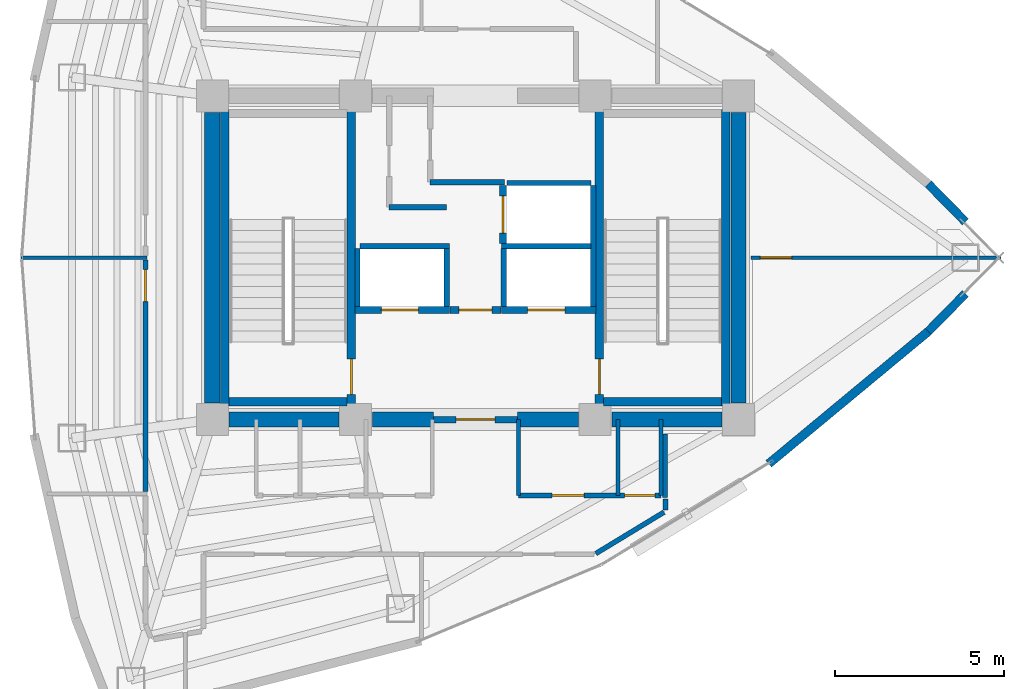
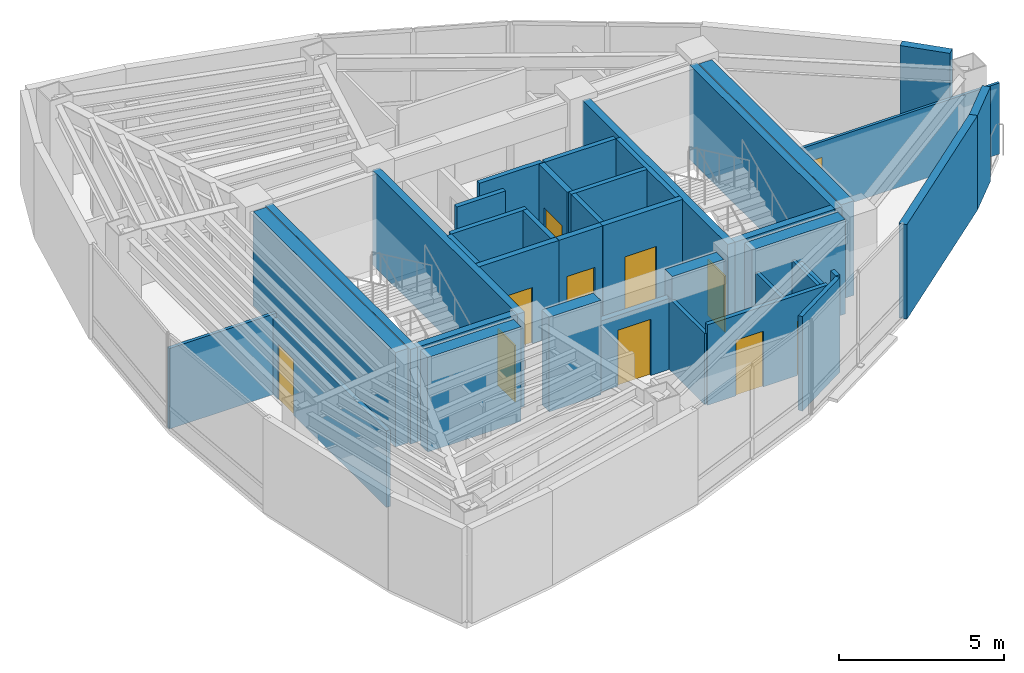
# One storey, part 12 of 15: 39 walls, 11 doors, 11 openings.
"""IFC4 building model written with IfcOpenShell, lengths in metres."""

from ifc_helpers import new_model, si_unit, direction, frame, frame_2d, origin, place, context, subcontext, project, spatial, rectangle, extrude, material, layer, layer_set, type_object, element, fill, save


model = new_model("IFC4")

# Units and contexts
model_context = context("Model", 3, precision=1e-05, world=origin(), true_north=direction((0.0, 1.0)))
body_context = subcontext(model_context, "Body", "Model", "MODEL_VIEW")
ifc_project = project(units=[si_unit("LENGTHUNIT", "METRE"), si_unit("AREAUNIT", "SQUARE_METRE"), si_unit("VOLUMEUNIT", "CUBIC_METRE"), si_unit("PLANEANGLEUNIT", "RADIAN"), si_unit("MASSUNIT", "GRAM", prefix="KILO")], contexts=[model_context])

# Site, building, storey
site_placement = place(None, origin())
site = spatial("IfcSite", under=ifc_project, at=site_placement, CompositionType="ELEMENT")
building_placement = place(site_placement, origin())
building = spatial("IfcBuilding", under=site, at=building_placement, Name="Menara Vayukalpa", CompositionType="ELEMENT")
storey_placement = place(building_placement, frame((0.0, 0.0, 291.780029296875)))
storey = spatial("IfcBuildingStorey", under=building, at=storey_placement, Name="L74", CompositionType="ELEMENT", Elevation=291.780029296875)

# Walls
ifc_material_1 = material(Name="Concrete C50/60", Category="concrete")
ifc_layer_1 = layer(ifc_material_1, 0.449951171875)
ifc_layer_set_1 = layer_set([ifc_layer_1], Name="Concrete C50/60")
wall_type_1 = type_object("IfcWallType", Name="WAL-CW450", PredefinedType="SHEAR", material=ifc_layer_set_1)
wall_1_placement = place(storey_placement, frame((18.294921875, 17.199951171875, 0.0), z_axis=(0.0, 0.0, 1.0), x_axis=(1.0, 0.0, 0.0)))
element("IfcWall", 1, at=wall_1_placement, inside=storey, type_object=wall_type_1, Name="L74 Buttressed Core Shear Wall CWS1", PredefinedType="SHEAR", context=body_context, shape_type="SweptSolid", body=[
    extrude(rectangle(XDim=3.260009765625, YDim=0.449951171875, at=frame_2d((1.6298828125, 0.0))), origin(), (0.0, 0.0, 1.0), 3.5),
])
wall_2_placement = place(storey_placement, frame((22.544921875, 17.199951171875, 0.0), z_axis=(0.0, 0.0, 1.0), x_axis=(1.0, 0.0, 0.0)))
element("IfcWall", 2, at=wall_2_placement, inside=storey, type_object=wall_type_1, Name="L74 Buttressed Core Shear Wall CWS2", PredefinedType="SHEAR", context=body_context, shape_type="SweptSolid", body=[
    extrude(rectangle(XDim=1.80517578125, YDim=0.449951171875, at=frame_2d((0.902587890625, 0.0))), origin(), (0.0, 0.0, 1.0), 3.5),
])
wall_3_placement = place(storey_placement, frame((26.85009765625, 17.199951171875, 0.0), z_axis=(0.0, 0.0, 1.0), x_axis=(1.0, 0.0, 0.0)))
element("IfcWall", 3, at=wall_3_placement, inside=storey, type_object=wall_type_1, Name="L74 Buttressed Core Shear Wall CWS3", PredefinedType="SHEAR", context=body_context, shape_type="SweptSolid", body=[
    extrude(rectangle(XDim=1.804931640625, YDim=0.449951171875, at=frame_2d((0.90234375, 0.0))), origin(), (0.0, 0.0, 1.0), 3.5),
])
wall_4_placement = place(storey_placement, frame((29.64501953125, 17.199951171875, 0.0), z_axis=(0.0, 0.0, 1.0), x_axis=(1.0, 0.0, 0.0)))
element("IfcWall", 4, at=wall_4_placement, inside=storey, type_object=wall_type_1, Name="L74 Buttressed Core Shear Wall CWS4", PredefinedType="SHEAR", context=body_context, shape_type="SweptSolid", body=[
    extrude(rectangle(XDim=3.260009765625, YDim=0.449951171875, at=frame_2d((1.6298828125, 0.0))), origin(), (0.0, 0.0, 1.0), 3.5),
])
for number, where, z_axis, x_axis, name in (
    (5, (17.800048828125, 17.695068359375, 0.0), (0.0, 0.0, 1.0), (0.0, 1.0, 0.0), "L74 Buttressed Core Shear Wall CWW1"),
    (6, (33.39990234375, 17.695068359375, 0.0), (0.0, 0.0, 1.0), (0.0, 1.0, 0.0), "L74 Buttressed Core Shear Wall CWE1"),
):
    element("IfcWall", number, at=place(storey_placement, frame(where, z_axis=z_axis, x_axis=x_axis)), inside=storey, type_object=wall_type_1, Name=name, PredefinedType="SHEAR", context=body_context, shape_type="SweptSolid", body=[
        extrude(rectangle(XDim=8.60986328125, YDim=0.449951171875, at=frame_2d((4.304931640625, 0.0))), origin(), (0.0, 0.0, 1.0), 3.5),
    ])
ifc_material_2 = material(Name="Insulated Precast Concrete C40/50", Category="concrete")
ifc_layer_2 = layer(ifc_material_2, 0.260009765625)
ifc_layer_set_2 = layer_set([ifc_layer_2], Name="Insulated Precast Concrete C40/50")
wall_type_2 = type_object("IfcWallType", Name="WAL-EXT260", PredefinedType="PARTITIONING", material=ifc_layer_set_2)
for number, where, z_axis, x_axis, name in (
    (7, (40.1240234375, 20.932861328125, 0.0), (0.0, 0.0, 1.0), (-0.700470648387, -0.71368121087, 0.0), "L74 Perimeter Terracotta Pier Wall 01"),
    (8, (39.023681640625, 24.188232421875, 0.0), (0.0, 0.0, 1.0), (0.700470648387, -0.71368121087, 0.0), "L74 Perimeter Terracotta Pier Wall 02"),
):
    element("IfcWall", number, at=place(storey_placement, frame(where, z_axis=z_axis, x_axis=x_axis)), inside=storey, type_object=wall_type_2, Name=name, PredefinedType="PARTITIONING", context=body_context, shape_type="SweptSolid", body=[
        extrude(rectangle(XDim=1.57080078125, YDim=0.260009765625, at=frame_2d((0.785400390625, 0.0))), origin(), (0.0, 0.0, 1.0), 3.5),
    ])
wall_5_placement = place(storey_placement, frame((39.032470703125, 19.81982421875, 0.0), z_axis=(0.0, 0.0, 1.0), x_axis=(-0.769779830138, -0.638309496337, 0.0)))
element("IfcWall", 9, at=wall_5_placement, inside=storey, type_object=wall_type_2, Name="L74 Perimeter Terracotta Pier Wall 18", PredefinedType="PARTITIONING", context=body_context, shape_type="SweptSolid", body=[
    extrude(rectangle(XDim=6.154052734375, YDim=0.260009765625, at=frame_2d((3.0771484375, 0.0))), origin(), (0.0, 0.0, 1.0), 3.5),
])
ifc_material_3 = material(Name="Lightweight Concrete Blockwork C16/20", Category="masonry")
ifc_layer_3 = layer(ifc_material_3, 0.159912109375)
ifc_layer_set_3 = layer_set([ifc_layer_3], Name="Lightweight Concrete Blockwork C16/20")
wall_type_3 = type_object("IfcWallType", Name="WAL-FR150", PredefinedType="PARTITIONING", material=ifc_layer_set_3)
for number, where, z_axis, x_axis, name in (
    (10, (22.10498046875, 20.56005859375, 0.0), (0.0, 0.0, 1.0), (0.0, 1.0, 0.0), "L74 Interior Partition IW-L74-SHW-WW"),
    (11, (24.7548828125, 20.56005859375, 0.0), (0.0, 0.0, 1.0), (0.0, 1.0, 0.0), "L74 Interior Partition IW-L74-SHW-W1E"),
):
    element("IfcWall", number, at=place(storey_placement, frame(where, z_axis=z_axis, x_axis=x_axis)), inside=storey, type_object=wall_type_3, Name=name, PredefinedType="PARTITIONING", context=body_context, shape_type="SweptSolid", body=[
        extrude(rectangle(XDim=1.7099609375, YDim=0.159912109375, at=frame_2d((0.85498046875, 0.0))), origin(), (0.0, 0.0, 1.0), 3.5),
    ])
wall_6_placement = place(storey_placement, frame((22.179931640625, 22.344970703125, 0.0), z_axis=(0.0, 0.0, 1.0), x_axis=(1.0, 0.0, 0.0)))
element("IfcWall", 12, at=wall_6_placement, inside=storey, type_object=wall_type_3, Name="L74 Interior Partition IW-L74-SHM-W12", PredefinedType="PARTITIONING", context=body_context, shape_type="SweptSolid", body=[
    extrude(rectangle(XDim=2.650146484375, YDim=0.159912109375, at=frame_2d((1.3251953125, 0.0))), origin(), (0.0, 0.0, 1.0), 3.5),
])
wall_7_placement = place(storey_placement, frame((29.094970703125, 20.56005859375, 0.0), z_axis=(0.0, 0.0, 1.0), x_axis=(0.0, 1.0, 0.0)))
element("IfcWall", 13, at=wall_7_placement, inside=storey, type_object=wall_type_3, Name="L74 Interior Partition IW-L74-SHW-EE", PredefinedType="PARTITIONING", context=body_context, shape_type="SweptSolid", body=[
    extrude(rectangle(XDim=3.579833984375, YDim=0.159912109375, at=frame_2d((1.7900390625, 0.0))), origin(), (0.0, 0.0, 1.0), 3.5),
])
wall_8_placement = place(storey_placement, frame((26.445068359375, 20.56005859375, 0.0), z_axis=(0.0, 0.0, 1.0), x_axis=(0.0, 1.0, 0.0)))
element("IfcWall", 14, at=wall_8_placement, inside=storey, type_object=wall_type_3, Name="L74 Interior Partition IW-L74-SHW-E1W", PredefinedType="PARTITIONING", context=body_context, shape_type="SweptSolid", body=[
    extrude(rectangle(XDim=1.7099609375, YDim=0.159912109375, at=frame_2d((0.85498046875, 0.0))), origin(), (0.0, 0.0, 1.0), 3.5),
])
wall_9_placement = place(storey_placement, frame((26.3701171875, 22.344970703125, 0.0), z_axis=(0.0, 0.0, 1.0), x_axis=(1.0, 0.0, 0.0)))
element("IfcWall", 15, at=wall_9_placement, inside=storey, type_object=wall_type_3, Name="L74 Interior Partition IW-L74-SHM-E13", PredefinedType="PARTITIONING", context=body_context, shape_type="SweptSolid", body=[
    extrude(rectangle(XDim=2.64990234375, YDim=0.159912109375, at=frame_2d((1.324951171875, 0.0))), origin(), (0.0, 0.0, 1.0), 3.5),
])
wall_10_placement = place(storey_placement, frame((26.530029296875, 24.215087890625, 0.0), z_axis=(0.0, 0.0, 1.0), x_axis=(1.0, 0.0, 0.0)))
element("IfcWall", 16, at=wall_10_placement, inside=storey, type_object=wall_type_3, Name="L74 Interior Partition IW-L74-SHM-E32", PredefinedType="PARTITIONING", context=body_context, shape_type="SweptSolid", body=[
    extrude(rectangle(XDim=2.489990234375, YDim=0.159912109375, at=frame_2d((1.2451171875, 0.0))), origin(), (0.0, 0.0, 1.0), 3.5),
])
wall_11_placement = place(storey_placement, frame((23.0400390625, 23.5, 0.0), z_axis=(0.0, 0.0, 1.0), x_axis=(1.0, 0.0, 0.0)))
element("IfcWall", 17, at=wall_11_placement, inside=storey, type_object=wall_type_3, Name="L74 Interior Partition IW-L74-LV7WA", PredefinedType="PARTITIONING", context=body_context, shape_type="SweptSolid", body=[
    extrude(rectangle(XDim=1.699951171875, YDim=0.159912109375, at=frame_2d((0.85009765625, 0.0))), origin(), (0.0, 0.0, 1.0), 3.5),
])
wall_12_placement = place(storey_placement, frame((24.260009765625, 24.239990234375, 0.0), z_axis=(0.0, 0.0, 1.0), x_axis=(1.0, 0.0, 0.0)))
element("IfcWall", 18, at=wall_12_placement, inside=storey, type_object=wall_type_3, Name="L74 Interior Partition IW-L74-LV7EA", PredefinedType="PARTITIONING", context=body_context, shape_type="SweptSolid", body=[
    extrude(rectangle(XDim=2.199951171875, YDim=0.159912109375, at=frame_2d((1.10009765625, 0.0))), origin(), (0.0, 0.0, 1.0), 3.5),
])

# Wall, opening, door
ifc_material_4 = material(Name="Lightweight Concrete Blockwork C16/20", Category="masonry")
ifc_layer_4 = layer(ifc_material_4, 0.199951171875)
ifc_layer_set_4 = layer_set([ifc_layer_4], Name="Lightweight Concrete Blockwork C16/20")
wall_type_4 = type_object("IfcWallType", Name="WAL-FR200", PredefinedType="PARTITIONING", material=ifc_layer_set_4)
wall_13_placement = place(storey_placement, frame((24.35009765625, 17.199951171875, 0.0), z_axis=(0.0, 0.0, 1.0), x_axis=(1.0, 0.0, 0.0)))
wall_13 = element("IfcWall", 19, at=wall_13_placement, inside=storey, type_object=wall_type_4, Name="L74 Interior Partition IW-L74-FFLS", PredefinedType="PARTITIONING", context=body_context, shape_type="SweptSolid", body=[
    extrude(rectangle(XDim=2.5, YDim=0.199951171875, at=frame_2d((1.25, 0.0))), origin(), (0.0, 0.0, 1.0), 2.6298828125),
])
opening_1_placement = place(wall_13_placement, frame((0.679931640625, 0.0, 0.0)))
opening_1 = element("IfcOpeningElement", 20, at=opening_1_placement, cuts=wall_13, Name="Opening ID2", PredefinedType="OPENING", context=body_context, shape_type="SweptSolid", body=[
    extrude(rectangle(XDim=1.14990234375, YDim=2.080078125, at=frame_2d((0.574951171875, 1.0400390625))), frame((0.0, 0.10986328125, 0.0), z_axis=(0.0, -1.0, 0.0), x_axis=(1.0, 0.0, 0.0)), (0.0, 0.0, 1.0), 0.219970703125),
])
ifc_material_5 = material(Name="Fire-Rated Powder-Coated Steel Door", Category="steel")
door_type_1 = type_object("IfcDoorType", Name="DR-FD60W", OperationType="NOTDEFINED", PredefinedType="DOOR", material=ifc_material_5)
door_1_placement = place(opening_1_placement, origin())
door_1 = element("IfcDoor", 21, at=door_1_placement, inside=storey, type_object=door_type_1, Name="L74 Interior Door DR-L74-FFLS", OperationType="SINGLE_SWING_LEFT", OverallHeight=2.080078125, OverallWidth=1.14990234375, PredefinedType="DOOR", context=body_context, shape_type="SweptSolid", body=[
    extrude(rectangle(XDim=1.14990234375, YDim=2.080078125, at=frame_2d((0.574951171875, 1.0400390625))), frame((0.0, 0.02490234375, 0.0), z_axis=(0.0, -1.0, 0.0), x_axis=(1.0, 0.0, 0.0)), (0.0, 0.0, 1.0), 0.050048828125),
])
fill(opening_1, door_1)

wall_14_placement = place(storey_placement, frame((24.840087890625, 20.449951171875, 0.0), z_axis=(0.0, 0.0, 1.0), x_axis=(1.0, 0.0, 0.0)))
wall_14 = element("IfcWall", 22, at=wall_14_placement, inside=storey, type_object=wall_type_4, Name="L74 Interior Partition IW-L74-FFLN", PredefinedType="PARTITIONING", context=body_context, shape_type="SweptSolid", body=[
    extrude(rectangle(XDim=1.52001953125, YDim=0.199951171875, at=frame_2d((0.760009765625, 0.0))), origin(), (0.0, 0.0, 1.0), 3.5),
])
opening_2_placement = place(wall_14_placement, frame((0.27001953125, 0.0, 0.0)))
opening_2 = element("IfcOpeningElement", 23, at=opening_2_placement, cuts=wall_14, Name="Opening ID3", PredefinedType="OPENING", context=body_context, shape_type="SweptSolid", body=[
    extrude(rectangle(XDim=0.97998046875, YDim=2.06005859375, at=frame_2d((0.489990234375, 1.030029296875))), frame((0.0, 0.10986328125, 0.0), z_axis=(0.0, -1.0, 0.0), x_axis=(1.0, 0.0, 0.0)), (0.0, 0.0, 1.0), 0.219970703125),
])
ifc_material_6 = material(Name="Fire-Rated Powder-Coated Steel Door", Category="steel")
door_type_2 = type_object("IfcDoorType", Name="DR-FD60", OperationType="NOTDEFINED", PredefinedType="DOOR", material=ifc_material_6)
door_2_placement = place(opening_2_placement, origin())
door_2 = element("IfcDoor", 24, at=door_2_placement, inside=storey, type_object=door_type_2, Name="L74 Interior Door DR-L74-FFLN", OperationType="SINGLE_SWING_RIGHT", OverallHeight=2.06005859375, OverallWidth=0.97998046875, PredefinedType="DOOR", context=body_context, shape_type="SweptSolid", body=[
    extrude(rectangle(XDim=0.97998046875, YDim=2.06005859375, at=frame_2d((0.489990234375, 1.030029296875))), frame((0.0, 0.02490234375, 0.0), z_axis=(0.0, -1.0, 0.0), x_axis=(1.0, 0.0, 0.0)), (0.0, 0.0, 1.0), 0.050048828125),
])
fill(opening_2, door_2)

wall_15_placement = place(storey_placement, frame((22.030029296875, 20.449951171875, 0.0), z_axis=(0.0, 0.0, 1.0), x_axis=(1.0, 0.0, 0.0)))
wall_15 = element("IfcWall", 25, at=wall_15_placement, inside=storey, type_object=wall_type_4, Name="L74 Interior Partition IW-L74-SH-W1", PredefinedType="PARTITIONING", context=body_context, shape_type="SweptSolid", body=[
    extrude(rectangle(XDim=2.800048828125, YDim=0.199951171875, at=frame_2d((1.39990234375, 0.0))), origin(), (0.0, 0.0, 1.0), 3.5),
])
opening_3_placement = place(wall_15_placement, frame((0.780029296875, 0.0, 0.0)))
opening_3 = element("IfcOpeningElement", 26, at=opening_3_placement, cuts=wall_15, Name="Opening LD1", PredefinedType="OPENING", context=body_context, shape_type="SweptSolid", body=[
    extrude(rectangle(XDim=1.10009765625, YDim=2.080078125, at=frame_2d((0.550048828125, 1.0400390625))), frame((0.0, 0.10986328125, 0.0), z_axis=(0.0, -1.0, 0.0), x_axis=(1.0, 0.0, 0.0)), (0.0, 0.0, 1.0), 0.219970703125),
])
ifc_material_7 = material(Name="Brushed Stainless Steel 316 Lift Door", Category="steel")
door_type_3 = type_object("IfcDoorType", Name="DR-LD110", OperationType="NOTDEFINED", PredefinedType="DOOR", material=ifc_material_7)
door_3_placement = place(opening_3_placement, origin())
door_3 = element("IfcDoor", 27, at=door_3_placement, inside=storey, type_object=door_type_3, Name="L74 Interior Door DR-L74-LD-W1", OperationType="DOUBLE_DOOR_SLIDING", OverallHeight=2.080078125, OverallWidth=1.10009765625, PredefinedType="DOOR", context=body_context, shape_type="SweptSolid", body=[
    extrude(rectangle(XDim=1.10009765625, YDim=2.080078125, at=frame_2d((0.550048828125, 1.0400390625))), frame((0.0, 0.02490234375, 0.0), z_axis=(0.0, -1.0, 0.0), x_axis=(1.0, 0.0, 0.0)), (0.0, 0.0, 1.0), 0.050048828125),
])
fill(opening_3, door_3)

wall_16_placement = place(storey_placement, frame((26.3701171875, 20.449951171875, 0.0), z_axis=(0.0, 0.0, 1.0), x_axis=(1.0, 0.0, 0.0)))
wall_16 = element("IfcWall", 28, at=wall_16_placement, inside=storey, type_object=wall_type_4, Name="L74 Interior Partition IW-L74-SH-E1", PredefinedType="PARTITIONING", context=body_context, shape_type="SweptSolid", body=[
    extrude(rectangle(XDim=2.7998046875, YDim=0.199951171875, at=frame_2d((1.39990234375, 0.0))), origin(), (0.0, 0.0, 1.0), 3.5),
])
opening_4_placement = place(wall_16_placement, frame((0.780029296875, 0.0, 0.0)))
opening_4 = element("IfcOpeningElement", 29, at=opening_4_placement, cuts=wall_16, Name="Opening LD1", PredefinedType="OPENING", context=body_context, shape_type="SweptSolid", body=[
    extrude(rectangle(XDim=1.10009765625, YDim=2.080078125, at=frame_2d((0.550048828125, 1.0400390625))), frame((0.0, 0.10986328125, 0.0), z_axis=(0.0, -1.0, 0.0), x_axis=(1.0, 0.0, 0.0)), (0.0, 0.0, 1.0), 0.219970703125),
])
door_4_placement = place(opening_4_placement, origin())
door_4 = element("IfcDoor", 30, at=door_4_placement, inside=storey, type_object=door_type_3, Name="L74 Interior Door DR-L74-LD-E1", OperationType="DOUBLE_DOOR_SLIDING", OverallHeight=2.080078125, OverallWidth=1.10009765625, PredefinedType="DOOR", context=body_context, shape_type="SweptSolid", body=[
    extrude(rectangle(XDim=1.10009765625, YDim=2.080078125, at=frame_2d((0.550048828125, 1.0400390625))), frame((0.0, 0.02490234375, 0.0), z_axis=(0.0, -1.0, 0.0), x_axis=(1.0, 0.0, 0.0)), (0.0, 0.0, 1.0), 0.050048828125),
])
fill(opening_4, door_4)

wall_17_placement = place(storey_placement, frame((26.419921875, 22.419921875, 0.0), z_axis=(0.0, 0.0, 1.0), x_axis=(0.0, 1.0, 0.0)))
wall_17 = element("IfcWall", 31, at=wall_17_placement, inside=storey, type_object=wall_type_4, Name="L74 Interior Partition IW-L74-SH-E3", PredefinedType="PARTITIONING", context=body_context, shape_type="SweptSolid", body=[
    extrude(rectangle(XDim=1.719970703125, YDim=0.199951171875, at=frame_2d((0.85986328125, 0.0))), origin(), (0.0, 0.0, 1.0), 3.5),
])
opening_5_placement = place(wall_17_placement, frame((0.31005859375, 0.0, 0.0)))
opening_5 = element("IfcOpeningElement", 32, at=opening_5_placement, cuts=wall_17, Name="Opening LD1", PredefinedType="OPENING", context=body_context, shape_type="SweptSolid", body=[
    extrude(rectangle(XDim=1.10009765625, YDim=2.080078125, at=frame_2d((0.550048828125, 1.0400390625))), frame((0.0, 0.10986328125, 0.0), z_axis=(0.0, -1.0, 0.0), x_axis=(1.0, 0.0, 0.0)), (0.0, 0.0, 1.0), 0.219970703125),
])
door_5_placement = place(opening_5_placement, origin())
door_5 = element("IfcDoor", 33, at=door_5_placement, inside=storey, type_object=door_type_3, Name="L74 Interior Door DR-L74-LD-E3", OperationType="DOUBLE_DOOR_SLIDING", OverallHeight=2.080078125, OverallWidth=1.10009765625, PredefinedType="DOOR", context=body_context, shape_type="SweptSolid", body=[
    extrude(rectangle(XDim=1.10009765625, YDim=2.080078125, at=frame_2d((0.550048828125, 1.0400390625))), frame((0.0, 0.02490234375, 0.0), z_axis=(0.0, -1.0, 0.0), x_axis=(1.0, 0.0, 0.0)), (0.0, 0.0, 1.0), 0.050048828125),
])
fill(opening_5, door_5)

ifc_material_8 = material(Name="Glazed Demountable Office Partition", Category="glass")
ifc_layer_5 = layer(ifc_material_8, 0.094970703125)
ifc_layer_set_5 = layer_set([ifc_layer_5], Name="Glazed Demountable Office Partition")
wall_type_5 = type_object("IfcWallType", Name="WAL-PT100", PredefinedType="PARTITIONING", material=ifc_layer_set_5)
wall_18_placement = place(storey_placement, frame((33.77001953125, 22.0, 0.0), z_axis=(0.0, 0.0, 1.0), x_axis=(1.0, 0.0, 0.0)))
wall_18 = element("IfcWall", 34, at=wall_18_placement, inside=storey, type_object=wall_type_5, Name="L74 Interior Partition IW-L74-RDIV08", PredefinedType="PARTITIONING", context=body_context, shape_type="SweptSolid", body=[
    extrude(rectangle(XDim=7.411865234375, YDim=0.094970703125, at=frame_2d((3.7060546875, 0.0))), origin(), (0.0, 0.0, 1.0), 2.6298828125),
])
opening_6_placement = place(wall_18_placement, frame((0.280029296875, 0.0, 0.0)))
opening_6 = element("IfcOpeningElement", 35, at=opening_6_placement, cuts=wall_18, Name="Opening ID6", PredefinedType="OPENING", context=body_context, shape_type="SweptSolid", body=[
    extrude(rectangle(XDim=0.919921875, YDim=2.050048828125, at=frame_2d((0.4599609375, 1.02490234375))), frame((0.0, 0.057373046875, 0.0), z_axis=(0.0, -1.0, 0.0), x_axis=(1.0, 0.0, 0.0)), (0.0, 0.0, 1.0), 0.114990234375),
])
ifc_material_9 = material(Name="Acoustic Hardwood Veneer Timber Door", Category="wood")
door_type_4 = type_object("IfcDoorType", Name="DR-INT92", OperationType="NOTDEFINED", PredefinedType="DOOR", material=ifc_material_9)
door_6_placement = place(opening_6_placement, origin())
door_6 = element("IfcDoor", 36, at=door_6_placement, inside=storey, type_object=door_type_4, Name="L74 Interior Door DR-L74-STE06", OperationType="SINGLE_SWING_RIGHT", OverallHeight=2.050048828125, OverallWidth=0.919921875, PredefinedType="DOOR", context=body_context, shape_type="SweptSolid", body=[
    extrude(rectangle(XDim=0.919921875, YDim=2.050048828125, at=frame_2d((0.4599609375, 1.02490234375))), frame((0.0, 0.02490234375, 0.0), z_axis=(0.0, -1.0, 0.0), x_axis=(1.0, 0.0, 0.0)), (0.0, 0.0, 1.0), 0.050048828125),
])
fill(opening_6, door_6)

# Walls
ifc_material_10 = material(Name="Acoustic Mineral Stud Partition", Category="masonry")
ifc_layer_6 = layer(ifc_material_10, 0.110107421875)
ifc_layer_set_6 = layer_set([ifc_layer_6], Name="Acoustic Mineral Stud Partition")
wall_type_6 = type_object("IfcWallType", Name="WAL-PT110", PredefinedType="PARTITIONING", material=ifc_layer_set_6)
wall_19_placement = place(storey_placement, frame((31.10009765625, 14.949951171875, 0.0), z_axis=(0.0, 0.0, 1.0), x_axis=(0.0, 1.0, 0.0)))
element("IfcWall", 37, at=wall_19_placement, inside=storey, type_object=wall_type_6, Name="L74 Interior Partition IW-L74-SVCD-07", PredefinedType="PARTITIONING", context=body_context, shape_type="SweptSolid", body=[
    extrude(rectangle(XDim=2.25, YDim=0.110107421875, at=frame_2d((1.125, 0.0))), origin(), (0.0, 0.0, 1.0), 2.6298828125),
])
wall_20_placement = place(storey_placement, frame((12.1279296875, 22.0, 0.0), z_axis=(0.0, 0.0, 1.0), x_axis=(1.0, 0.0, 0.0)))
element("IfcWall", 38, at=wall_20_placement, inside=storey, type_object=wall_type_6, Name="L74 Interior Partition IW-L74-RDIV07", PredefinedType="PARTITIONING", context=body_context, shape_type="SweptSolid", body=[
    extrude(rectangle(XDim=3.7421875, YDim=0.110107421875, at=frame_2d((1.87109375, 0.0))), origin(), (0.0, 0.0, 1.0), 2.97998046875),
])
ifc_material_11 = material(Name="Gypsum Drywall Steel Stud Assembly", Category="steel")
ifc_layer_7 = layer(ifc_material_11, 0.125)
ifc_layer_set_7 = layer_set([ifc_layer_7], Name="Gypsum Drywall Steel Stud Assembly")
wall_type_7 = type_object("IfcWallType", Name="WAL-PT125", PredefinedType="PARTITIONING", material=ifc_layer_set_7)
for number, where, z_axis, x_axis, name in (
    (39, (26.8798828125, 14.949951171875, 0.0), (0.0, 0.0, 1.0), (0.0, 1.0, 0.0), "L74 Interior Partition IW-L74-SVCD-05"),
    (40, (29.830078125, 14.949951171875, 0.0), (0.0, 0.0, 1.0), (0.0, 1.0, 0.0), "L74 Interior Partition IW-L74-SVCD-06"),
):
    element("IfcWall", number, at=place(storey_placement, frame(where, z_axis=z_axis, x_axis=x_axis)), inside=storey, type_object=wall_type_7, Name=name, PredefinedType="PARTITIONING", context=body_context, shape_type="SweptSolid", body=[
        extrude(rectangle(XDim=2.25, YDim=0.125, at=frame_2d((1.125, 0.0))), origin(), (0.0, 0.0, 1.0), 2.6298828125),
    ])

# Wall, openings, doors
ifc_material_12 = material(Name="Gypsum Drywall Acoustic Stud Assembly", Category="masonry")
ifc_layer_8 = layer(ifc_material_12, 0.14501953125)
ifc_layer_set_8 = layer_set([ifc_layer_8], Name="Gypsum Drywall Acoustic Stud Assembly")
wall_type_8 = type_object("IfcWallType", Name="WAL-PT150", PredefinedType="PARTITIONING", material=ifc_layer_set_8)
wall_21_placement = place(storey_placement, frame((26.8798828125, 14.949951171875, 0.0), z_axis=(0.0, 0.0, 1.0), x_axis=(1.0, 0.0, 0.0)))
wall_21 = element("IfcWall", 41, at=wall_21_placement, inside=storey, type_object=wall_type_8, Name="L74 Interior Partition IW-L74-SVCS-E", PredefinedType="PARTITIONING", context=body_context, shape_type="SweptSolid", body=[
    extrude(rectangle(XDim=4.22021484375, YDim=0.14501953125, at=frame_2d((2.110107421875, 0.0))), origin(), (0.0, 0.0, 1.0), 2.97998046875),
])
opening_7_placement = place(wall_21_placement, frame((0.9951171875, 0.0, 0.0)))
opening_7 = element("IfcOpeningElement", 42, at=opening_7_placement, cuts=wall_21, Name="Opening ID5", PredefinedType="OPENING", context=body_context, shape_type="SweptSolid", body=[
    extrude(rectangle(XDim=0.949951171875, YDim=2.06005859375, at=frame_2d((0.47509765625, 1.030029296875))), frame((0.0, 0.08251953125, 0.0), z_axis=(0.0, -1.0, 0.0), x_axis=(1.0, 0.0, 0.0)), (0.0, 0.0, 1.0), 0.1650390625),
])
opening_8_placement = place(wall_21_placement, frame((3.139892578125, 0.0, 0.0)))
opening_8 = element("IfcOpeningElement", 43, at=opening_8_placement, cuts=wall_21, Name="Opening ID7", PredefinedType="OPENING", context=body_context, shape_type="SweptSolid", body=[
    extrude(rectangle(XDim=0.89990234375, YDim=2.02001953125, at=frame_2d((0.449951171875, 1.010009765625))), frame((0.0, 0.08251953125, 0.0), z_axis=(0.0, -1.0, 0.0), x_axis=(1.0, 0.0, 0.0)), (0.0, 0.0, 1.0), 0.1650390625),
])
ifc_material_13 = material(Name="Acoustic Hardwood Veneer Timber Door", Category="wood")
door_type_5 = type_object("IfcDoorType", Name="DR-INT95", OperationType="NOTDEFINED", PredefinedType="DOOR", material=ifc_material_13)
door_7_placement = place(opening_7_placement, origin())
door_7 = element("IfcDoor", 44, at=door_7_placement, inside=storey, type_object=door_type_5, Name="L74 Interior Door DR-L74-KSV1", OperationType="SINGLE_SWING_RIGHT", OverallHeight=2.06005859375, OverallWidth=0.949951171875, PredefinedType="DOOR", context=body_context, shape_type="SweptSolid", body=[
    extrude(rectangle(XDim=0.949951171875, YDim=2.06005859375, at=frame_2d((0.47509765625, 1.030029296875))), frame((0.0, 0.02490234375, 0.0), z_axis=(0.0, -1.0, 0.0), x_axis=(1.0, 0.0, 0.0)), (0.0, 0.0, 1.0), 0.050048828125),
])
fill(opening_7, door_7)
ifc_material_14 = material(Name="Powder-Coated Steel Riser Access Door", Category="steel")
door_type_6 = type_object("IfcDoorType", Name="DR-RISER", OperationType="NOTDEFINED", PredefinedType="DOOR", material=ifc_material_14)
door_8_placement = place(opening_8_placement, origin())
door_8 = element("IfcDoor", 45, at=door_8_placement, inside=storey, type_object=door_type_6, Name="L74 Interior Door DR-L74-SMD", OperationType="SINGLE_SWING_LEFT", OverallHeight=2.02001953125, OverallWidth=0.89990234375, PredefinedType="DOOR", context=body_context, shape_type="SweptSolid", body=[
    extrude(rectangle(XDim=0.89990234375, YDim=2.02001953125, at=frame_2d((0.449951171875, 1.010009765625))), frame((0.0, 0.02490234375, 0.0), z_axis=(0.0, -1.0, 0.0), x_axis=(1.0, 0.0, 0.0)), (0.0, 0.0, 1.0), 0.050048828125),
])
fill(opening_8, door_8)

# Wall, opening, door
wall_22_placement = place(storey_placement, frame((15.820068359375, 21.929931640625, 0.0), z_axis=(0.0, 0.0, 1.0), x_axis=(0.0, -1.0, 0.0)))
wall_22 = element("IfcWall", 46, at=wall_22_placement, inside=storey, type_object=wall_type_8, Name="L74 Interior Partition IW-L74-CRM01-1", PredefinedType="PARTITIONING", context=body_context, shape_type="SweptSolid", body=[
    extrude(rectangle(XDim=6.85986328125, YDim=0.14501953125, at=frame_2d((3.429931640625, 0.0))), origin(), (0.0, 0.0, 1.0), 2.830078125),
])
opening_9_placement = place(wall_22_placement, frame((0.280029296875, 0.0, 0.0)))
opening_9 = element("IfcOpeningElement", 47, at=opening_9_placement, cuts=wall_22, Name="Opening ID5", PredefinedType="OPENING", context=body_context, shape_type="SweptSolid", body=[
    extrude(rectangle(XDim=0.949951171875, YDim=2.06005859375, at=frame_2d((0.47509765625, 1.030029296875))), frame((0.0, 0.08251953125, 0.0), z_axis=(0.0, -1.0, 0.0), x_axis=(1.0, 0.0, 0.0)), (0.0, 0.0, 1.0), 0.1650390625),
])
door_9_placement = place(opening_9_placement, origin())
door_9 = element("IfcDoor", 48, at=door_9_placement, inside=storey, type_object=door_type_5, Name="L74 Interior Door DR-L74-RM01", OperationType="SINGLE_SWING_RIGHT", OverallHeight=2.06005859375, OverallWidth=0.949951171875, PredefinedType="DOOR", context=body_context, shape_type="SweptSolid", body=[
    extrude(rectangle(XDim=0.949951171875, YDim=2.06005859375, at=frame_2d((0.47509765625, 1.030029296875))), frame((0.0, 0.02490234375, 0.0), z_axis=(0.0, -1.0, 0.0), x_axis=(1.0, 0.0, 0.0)), (0.0, 0.0, 1.0), 0.050048828125),
])
fill(opening_9, door_9)

# Walls
wall_23_placement = place(storey_placement, frame((29.167724609375, 13.228515625, 0.0), z_axis=(0.0, 0.0, 1.0), x_axis=(0.854678044033, 0.519158396876, 0.0)))
element("IfcWall", 49, at=wall_23_placement, inside=storey, type_object=wall_type_8, Name="L74 Interior Partition IW-L74-CRM05-2", PredefinedType="PARTITIONING", context=body_context, shape_type="SweptSolid", body=[
    extrude(rectangle(XDim=2.36767578125, YDim=0.14501953125, at=frame_2d((1.183837890625, 0.0))), origin(), (0.0, 0.0, 1.0), 3.5),
])
wall_24_placement = place(storey_placement, frame((31.22998046875, 14.526123046875, 0.0), z_axis=(0.0, 0.0, 1.0), x_axis=(0.0, 1.0, 0.0)))
element("IfcWall", 50, at=wall_24_placement, inside=storey, type_object=wall_type_8, Name="L74 Interior Partition IW-L74-CRM05-3", PredefinedType="PARTITIONING", context=body_context, shape_type="SweptSolid", body=[
    extrude(rectangle(XDim=0.323974609375, YDim=0.14501953125, at=frame_2d((0.162109375, 0.0))), origin(), (0.0, 0.0, 1.0), 3.5),
])
wall_25_placement = place(storey_placement, frame((31.219970703125, 14.888671875, 0.0), z_axis=(0.0, 0.0, 1.0), x_axis=(0.0, 1.0, 0.0)))
element("IfcWall", 51, at=wall_25_placement, inside=storey, type_object=wall_type_8, Name="L74 Interior Partition IW-L74-CRM05-4", PredefinedType="PARTITIONING", context=body_context, shape_type="SweptSolid", body=[
    extrude(rectangle(XDim=1.891357421875, YDim=0.14501953125, at=frame_2d((0.94580078125, 0.0))), origin(), (0.0, 0.0, 1.0), 2.6298828125),
])
ifc_material_15 = material(Name="Concrete C50/60", Category="concrete")
ifc_layer_9 = layer(ifc_material_15, 0.25)
ifc_layer_set_9 = layer_set([ifc_layer_9], Name="Concrete C50/60")
wall_type_9 = type_object("IfcWallType", Name="WAL-SW250", PredefinedType="SHEAR", material=ifc_layer_set_9)
wall_26_placement = place(storey_placement, frame((18.175048828125, 17.60009765625, 0.0), z_axis=(0.0, 0.0, 1.0), x_axis=(0.0, 1.0, 0.0)))
element("IfcWall", 52, at=wall_26_placement, inside=storey, type_object=wall_type_9, Name="L74 ST1 Structural Stair Shaft Wall W", PredefinedType="SHEAR", context=body_context, shape_type="SweptSolid", body=[
    extrude(rectangle(XDim=8.7998046875, YDim=0.25, at=frame_2d((4.39990234375, 0.0))), origin(), (0.0, 0.0, 1.0), 3.5),
])

# Wall, opening, door
wall_27_placement = place(storey_placement, frame((21.925048828125, 17.60009765625, 0.0), z_axis=(0.0, 0.0, 1.0), x_axis=(0.0, 1.0, 0.0)))
wall_27 = element("IfcWall", 53, at=wall_27_placement, inside=storey, type_object=wall_type_9, Name="L74 ST1 Structural Stair Shaft Wall E", PredefinedType="SHEAR", context=body_context, shape_type="SweptSolid", body=[
    extrude(rectangle(XDim=8.7998046875, YDim=0.25, at=frame_2d((4.39990234375, 0.0))), origin(), (0.0, 0.0, 1.0), 3.5),
])
opening_10_placement = place(wall_27_placement, frame((0.35009765625, 0.0, 0.0)))
opening_10 = element("IfcOpeningElement", 54, at=opening_10_placement, cuts=wall_27, Name="Opening ID1", PredefinedType="OPENING", context=body_context, shape_type="SweptSolid", body=[
    extrude(rectangle(XDim=1.050048828125, YDim=2.080078125, at=frame_2d((0.52490234375, 1.0400390625))), frame((0.0, 0.135009765625, 0.0), z_axis=(0.0, -1.0, 0.0), x_axis=(1.0, 0.0, 0.0)), (0.0, 0.0, 1.0), 0.27001953125),
])
ifc_material_16 = material(Name="Fire-Rated Powder-Coated Steel Door", Category="steel")
door_type_7 = type_object("IfcDoorType", Name="DR-FD120", OperationType="NOTDEFINED", PredefinedType="DOOR", material=ifc_material_16)
door_10_placement = place(opening_10_placement, origin())
door_10 = element("IfcDoor", 55, at=door_10_placement, inside=storey, type_object=door_type_7, Name="L74 Stair Exit Door DR-L74-ST1", OperationType="SINGLE_SWING_LEFT", OverallHeight=2.080078125, OverallWidth=1.050048828125, PredefinedType="DOOR", context=body_context, shape_type="SweptSolid", body=[
    extrude(rectangle(XDim=1.050048828125, YDim=2.080078125, at=frame_2d((0.52490234375, 1.0400390625))), frame((0.0, 0.02490234375, 0.0), z_axis=(0.0, -1.0, 0.0), x_axis=(1.0, 0.0, 0.0)), (0.0, 0.0, 1.0), 0.050048828125),
])
fill(opening_10, door_10)

# Wall
wall_28_placement = place(storey_placement, frame((18.300048828125, 17.72509765625, 0.0), z_axis=(0.0, 0.0, 1.0), x_axis=(1.0, 0.0, 0.0)))
element("IfcWall", 56, at=wall_28_placement, inside=storey, type_object=wall_type_9, Name="L74 ST1 Structural Stair Shaft Wall S", PredefinedType="SHEAR", context=body_context, shape_type="SweptSolid", body=[
    extrude(rectangle(XDim=3.5, YDim=0.25, at=frame_2d((1.75, 0.0))), origin(), (0.0, 0.0, 1.0), 3.5),
])

# Wall, opening, door
wall_29_placement = place(storey_placement, frame((29.27490234375, 17.60009765625, 0.0), z_axis=(0.0, 0.0, 1.0), x_axis=(0.0, 1.0, 0.0)))
wall_29 = element("IfcWall", 57, at=wall_29_placement, inside=storey, type_object=wall_type_9, Name="L74 ST2 Structural Stair Shaft Wall W", PredefinedType="SHEAR", context=body_context, shape_type="SweptSolid", body=[
    extrude(rectangle(XDim=8.7998046875, YDim=0.25, at=frame_2d((4.39990234375, 0.0))), origin(), (0.0, 0.0, 1.0), 3.5),
])
opening_11_placement = place(wall_29_placement, frame((0.35009765625, 0.0, 0.0)))
opening_11 = element("IfcOpeningElement", 58, at=opening_11_placement, cuts=wall_29, Name="Opening ID1", PredefinedType="OPENING", context=body_context, shape_type="SweptSolid", body=[
    extrude(rectangle(XDim=1.050048828125, YDim=2.080078125, at=frame_2d((0.52490234375, 1.0400390625))), frame((0.0, 0.135009765625, 0.0), z_axis=(0.0, -1.0, 0.0), x_axis=(1.0, 0.0, 0.0)), (0.0, 0.0, 1.0), 0.27001953125),
])
door_11_placement = place(opening_11_placement, origin())
door_11 = element("IfcDoor", 59, at=door_11_placement, inside=storey, type_object=door_type_7, Name="L74 Stair Exit Door DR-L74-ST2", OperationType="SINGLE_SWING_RIGHT", OverallHeight=2.080078125, OverallWidth=1.050048828125, PredefinedType="DOOR", context=body_context, shape_type="SweptSolid", body=[
    extrude(rectangle(XDim=1.050048828125, YDim=2.080078125, at=frame_2d((0.52490234375, 1.0400390625))), frame((0.0, 0.02490234375, 0.0), z_axis=(0.0, -1.0, 0.0), x_axis=(1.0, 0.0, 0.0)), (0.0, 0.0, 1.0), 0.050048828125),
])
fill(opening_11, door_11)

# Walls
wall_30_placement = place(storey_placement, frame((33.02490234375, 17.60009765625, 0.0), z_axis=(0.0, 0.0, 1.0), x_axis=(0.0, 1.0, 0.0)))
element("IfcWall", 60, at=wall_30_placement, inside=storey, type_object=wall_type_9, Name="L74 ST2 Structural Stair Shaft Wall E", PredefinedType="SHEAR", context=body_context, shape_type="SweptSolid", body=[
    extrude(rectangle(XDim=8.7998046875, YDim=0.25, at=frame_2d((4.39990234375, 0.0))), origin(), (0.0, 0.0, 1.0), 3.5),
])
wall_31_placement = place(storey_placement, frame((29.39990234375, 17.72509765625, 0.0), z_axis=(0.0, 0.0, 1.0), x_axis=(1.0, 0.0, 0.0)))
element("IfcWall", 61, at=wall_31_placement, inside=storey, type_object=wall_type_9, Name="L74 ST2 Structural Stair Shaft Wall S", PredefinedType="SHEAR", context=body_context, shape_type="SweptSolid", body=[
    extrude(rectangle(XDim=3.5, YDim=0.25, at=frame_2d((1.75, 0.0))), origin(), (0.0, 0.0, 1.0), 3.5),
])

save(model, "model.ifc")
